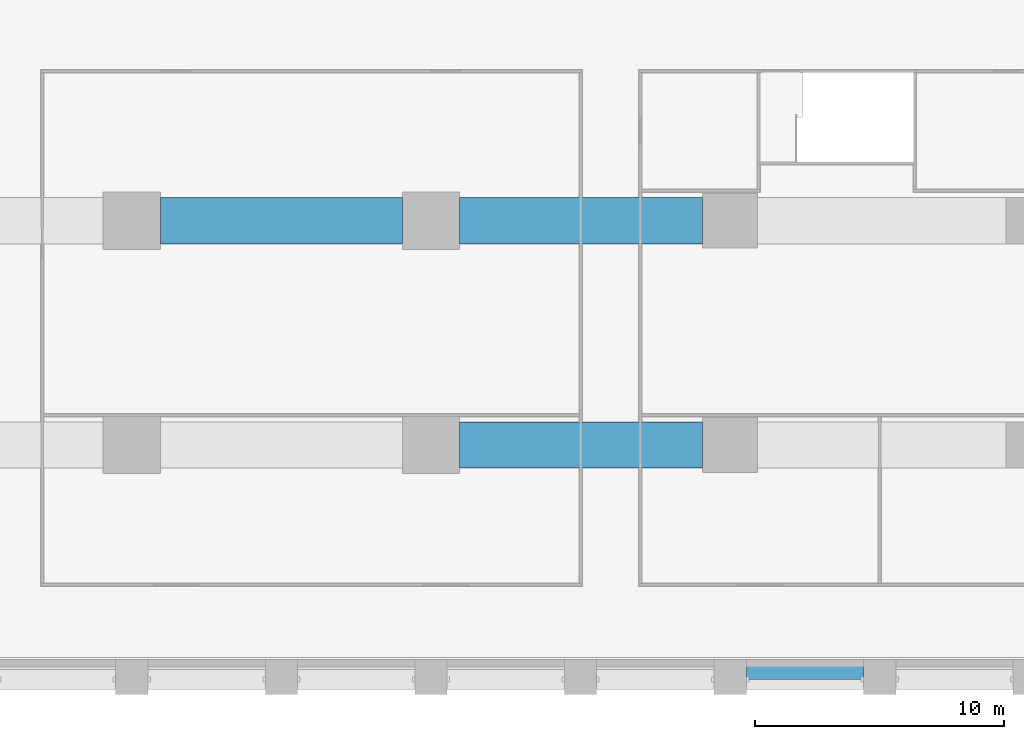
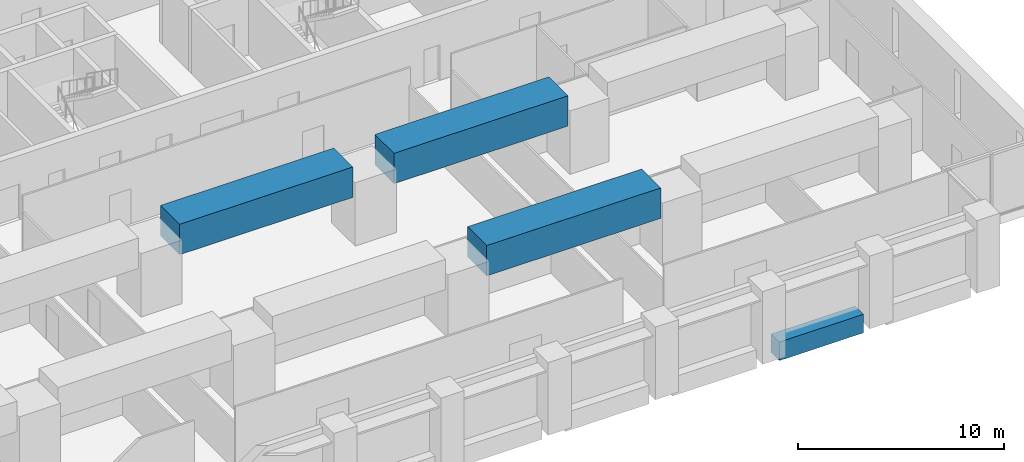
# One storey, part 3 of 17: 4 beams.
"""IFC4 building model written with IfcOpenShell, lengths in metres."""

import ifcopenshell
import ifcopenshell.guid

model = None  # the IFC model being written
_history = None  # IfcOwnerHistory: only IFC2X3 demands one
_inside = {}  # id of a spatial element -> (the spatial element, [elements in it])
_under = {}  # id of a project, library or spatial element -> (it, [spatial elements below it])
_declared = {}  # id of a project -> (the project, [libraries it declares])
_typed = {}  # id of a type object -> (the type object, [elements of that type])
_made_of = {}  # id of a material, layer set ... -> (it, [elements and type objects made of it])


def new_model(schema):
    """Start an empty IFC model of exactly this schema.

    Asked for "IFC4X3", IfcOpenShell would pick the latest addendum, in which some entities
    have other attributes; the version numbers below select the first issue.
    IFC2X3 requires an IfcOwnerHistory on every rooted entity: one is made here for all.
    """
    global model, _history
    if schema == "IFC4X3":
        model = ifcopenshell.file(schema_version=(4, 3, 0, 0))
    else:
        model = ifcopenshell.file(schema=schema)
    _inside.clear()
    _under.clear()
    _declared.clear()
    _typed.clear()
    _made_of.clear()
    _history = None
    if model.schema == "IFC2X3":
        org = make("IfcOrganization", Name="unknown")
        user = make(
            "IfcPersonAndOrganization",
            ThePerson=make("IfcPerson", FamilyName="unknown"),
            TheOrganization=org,
        )
        app = make(
            "IfcApplication",
            ApplicationDeveloper=org,
            Version="unknown",
            ApplicationFullName="unknown",
            ApplicationIdentifier="unknown",
        )
        _history = make(
            "IfcOwnerHistory",
            OwningUser=user,
            OwningApplication=app,
            ChangeAction="ADDED",
            CreationDate=0,
        )
    return model


def make(cls, **values):
    """One entity of the class cls with the attributes given. An attribute that is None is left unset."""
    return model.create_entity(
        cls, **{name: value for name, value in values.items() if value is not None}
    )


def rooted(cls, **values):
    """An entity with a GlobalId (a new one), such as an element, a storey or a relation."""
    return make(cls, GlobalId=ifcopenshell.guid.new(), OwnerHistory=_history, **values)


def si_unit(unit_type, name, prefix=None):
    """IfcSIUnit, for example si_unit("LENGTHUNIT", "METRE", prefix="MILLI")."""
    return make("IfcSIUnit", UnitType=unit_type, Prefix=prefix, Name=name)


def assignment(units):
    """IfcUnitAssignment: the units of a project."""
    return None if units is None else make("IfcUnitAssignment", Units=units)


def point(xyz):
    """IfcCartesianPoint."""
    return None if xyz is None else make("IfcCartesianPoint", Coordinates=xyz)


def direction(xyz):
    """IfcDirection."""
    return None if xyz is None else make("IfcDirection", DirectionRatios=xyz)


def frame(location, z_axis=None, x_axis=None):
    """IfcAxis2Placement3D, a coordinate frame: its origin and axes. An axis left out is left unset."""
    return make(
        "IfcAxis2Placement3D",
        Location=point(location),
        Axis=direction(z_axis),
        RefDirection=direction(x_axis),
    )


def frame_2d(location, x_axis=None):
    """IfcAxis2Placement2D, a coordinate frame in the plane: its origin and x axis."""
    return make(
        "IfcAxis2Placement2D", Location=point(location), RefDirection=direction(x_axis)
    )


def origin():
    """The frame at (0, 0, 0) with its axes left unset."""
    return frame((0.0, 0.0, 0.0))


def origin_2d():
    """The frame at (0, 0) in the plane with its x axis left unset."""
    return frame_2d((0.0, 0.0))


def place(relative_to, where):
    """IfcLocalPlacement: puts the frame where relative to a parent placement (None: the world)."""
    return make(
        "IfcLocalPlacement", PlacementRelTo=relative_to, RelativePlacement=where
    )


def context(
    kind, dimensions, precision=None, world=None, true_north=None, identifier=None
):
    """IfcGeometricRepresentationContext, for example the 3D "Model" context."""
    return make(
        "IfcGeometricRepresentationContext",
        ContextIdentifier=identifier,
        ContextType=kind,
        CoordinateSpaceDimension=dimensions,
        Precision=precision,
        WorldCoordinateSystem=world,
        TrueNorth=true_north,
    )


def subcontext(parent, identifier, kind, view, scale=None):
    """IfcGeometricRepresentationSubContext, for example "Body" below "Model"."""
    return make(
        "IfcGeometricRepresentationSubContext",
        ContextIdentifier=identifier,
        ContextType=kind,
        ParentContext=parent,
        TargetScale=scale,
        TargetView=view,
    )


def project(units=None, contexts=None):
    """IfcProject with its units and contexts."""
    return rooted(
        "IfcProject",
        Name="project",
        RepresentationContexts=contexts,
        UnitsInContext=assignment(units),
    )


def spatial(cls, under=None, at=None, **own):
    """A site, building, storey or space (cls), placed at a placement, below another one or the project."""
    s = rooted(cls, ObjectPlacement=at, **own)
    if under is not None:
        _under.setdefault(under.id(), (under, []))[1].append(s)
    return s


def profile(cls, at=None, kind="AREA", **sizes):
    """A parametric profile (cls). Its sizes go by their IFC names, for example OverallWidth=200.0."""
    return make(cls, ProfileType=kind, Position=at, **sizes)


def rectangle(**sizes):
    """IfcRectangleProfileDef."""
    return profile("IfcRectangleProfileDef", **sizes)


def extrude(swept, where, along, depth):
    """IfcExtrudedAreaSolid: the profile swept, set in the frame where, extruded along a direction by depth."""
    return make(
        "IfcExtrudedAreaSolid",
        SweptArea=swept,
        Position=where,
        ExtrudedDirection=direction(along),
        Depth=depth,
    )


def shape(context_of_items, identifier, shape_type, items):
    """IfcShapeRepresentation: the items that make up one representation, for example the "Body"."""
    return make(
        "IfcShapeRepresentation",
        ContextOfItems=context_of_items,
        RepresentationIdentifier=identifier,
        RepresentationType=shape_type,
        Items=items,
    )


def material(Name=None, Category=None):
    """IfcMaterial."""
    return make("IfcMaterial", Name=Name, Category=Category)


def material_profile(
    of_material, cross_section, Name=None, Category=None, Priority=None
):
    """IfcMaterialProfile: a cross section and its material."""
    return make(
        "IfcMaterialProfile",
        Name=Name,
        Material=of_material,
        Profile=cross_section,
        Priority=Priority,
        Category=Category,
    )


def profile_set(profiles, Name=None, composite=None):
    """IfcMaterialProfileSet."""
    return make(
        "IfcMaterialProfileSet",
        Name=Name,
        MaterialProfiles=profiles,
        CompositeProfile=composite,
    )


def made_of(thing, what):
    """Note that an element or type object is made of a material, layer set ...; save() writes the relation."""
    if what is not None:
        _made_of.setdefault(what.id(), (what, []))[1].append(thing)
    return thing


def type_object(cls, material=None, **own):
    """A type object (cls), such as IfcWallType, which elements share."""
    return made_of(rooted(cls, **own), material)


def element(
    cls,
    number,
    at=None,
    inside=None,
    cuts=None,
    type_object=None,
    material=None,
    context=None,
    identifier="Body",
    shape_type=None,
    held_by="IfcProductDefinitionShape",
    body=None,
    shapes=None,
    **own,
):
    """One element of the class cls, such as IfcWall. Its Tag is "e" and its number.

    at: its placement. inside: the storey or other place that contains it. cuts: it is an
    opening in that element (IfcRelVoidsElement). A single representation is given by context,
    identifier, shape_type and body (its items); several are given by shapes. held_by: the class
    of the entity that holds the representations. save() writes the other relations.
    """
    e = rooted(cls, Tag="e%d" % number, ObjectPlacement=at, **own)
    if body is not None:
        shapes = [shape(context, identifier, shape_type, body)]
    if shapes is not None:
        e.Representation = make(held_by, Representations=shapes)
    if inside is not None:
        _inside.setdefault(inside.id(), (inside, []))[1].append(e)
    if cuts is not None:
        rooted(
            "IfcRelVoidsElement", RelatingBuildingElement=cuts, RelatedOpeningElement=e
        )
    if type_object is not None:
        _typed.setdefault(type_object.id(), (type_object, []))[1].append(e)
    return made_of(e, material)


def aggregate(whole, parts):
    """IfcRelAggregates: a whole, such as a stair, and the parts it consists of."""
    return rooted("IfcRelAggregates", RelatingObject=whole, RelatedObjects=parts)


def save(model, path):
    """Write the relations noted so far, then the file.

    IfcRelAggregates (storeys below a building ...), IfcRelContainedInSpatialStructure (elements
    in a storey), IfcRelDefinesByType, IfcRelAssociatesMaterial and IfcRelDeclares: one each for
    every whole, place, type object, material and project.
    """
    for whole, parts in _under.values():
        aggregate(whole, parts)
    for where, things in _inside.values():
        rooted(
            "IfcRelContainedInSpatialStructure",
            RelatedElements=things,
            RelatingStructure=where,
        )
    for kind, things in _typed.values():
        rooted("IfcRelDefinesByType", RelatedObjects=things, RelatingType=kind)
    for what, things in _made_of.values():
        rooted("IfcRelAssociatesMaterial", RelatedObjects=things, RelatingMaterial=what)
    for by, libraries in _declared.values():
        rooted("IfcRelDeclares", RelatingContext=by, RelatedDefinitions=libraries)
    model.write(path)


model = new_model("IFC4")

# Units and contexts
model_context = context("Model", 3, precision=1e-05, world=origin(), true_north=direction((0.0, 1.0)))
body_context = subcontext(model_context, "Body", "Model", "MODEL_VIEW")
ifc_project = project(units=[si_unit("LENGTHUNIT", "METRE"), si_unit("AREAUNIT", "SQUARE_METRE"), si_unit("VOLUMEUNIT", "CUBIC_METRE"), si_unit("PLANEANGLEUNIT", "RADIAN"), si_unit("MASSUNIT", "GRAM", prefix="KILO")], contexts=[model_context])

# Site, building, storey
site_placement = place(None, origin())
site = spatial("IfcSite", under=ifc_project, at=site_placement, CompositionType="ELEMENT")
building_placement = place(site_placement, origin())
building = spatial("IfcBuilding", under=site, at=building_placement, Name="Calvaro Tower", CompositionType="ELEMENT")
storey_placement = place(building_placement, frame((0.0, 0.0, 17.89990234375)))
storey = spatial("IfcBuildingStorey", under=building, at=storey_placement, Name="L03", CompositionType="ELEMENT", Elevation=17.89990234375)

# Beams
ifc_material_1 = material(Name="Concrete C50/60 precast", Category="concrete")
ifc_material_profile_1 = material_profile(ifc_material_1, rectangle(XDim=0.800048828125, YDim=1.10009765625, at=origin_2d()), Name="RC 800x1100")
ifc_profile_set_1 = profile_set([ifc_material_profile_1], Name="Concrete C50/60 precast")
beam_type_1 = type_object("IfcBeamType", Name="Spandrel beam 800x1100 C50/60", PredefinedType="SPANDREL", material=ifc_profile_set_1)
beam_1_placement = place(storey_placement, frame((60.64990234375, 1.0, -0.5498046875), z_axis=(1.0, 0.0, 0.0), x_axis=(0.0, 1.0, 0.0)))
element("IfcBeam", 1, at=beam_1_placement, inside=storey, type_object=beam_type_1, Name="Spandrel beam", PredefinedType="SPANDREL", context=body_context, shape_type="SweptSolid", body=[
    extrude(rectangle(XDim=0.800048828125, YDim=1.10009765625, at=origin_2d()), origin(), (0.0, 0.0, 1.0), 4.7001953125),
])
ifc_material_2 = material(Name="Concrete C80/95", Category="concrete")
ifc_material_profile_2 = material_profile(ifc_material_2, rectangle(XDim=1.85009765625, YDim=1.800048828125, at=origin_2d()), Name="RC 1850x1800")
ifc_profile_set_2 = profile_set([ifc_material_profile_2], Name="Concrete C80/95")
beam_type_2 = type_object("IfcBeamType", Name="Transfer girder 1850x1800 C80/95", PredefinedType="BEAM", material=ifc_profile_set_2)
beam_2_placement = place(storey_placement, frame((49.14990234375, 10.0, 3.7001953125), z_axis=(1.0, 0.0, 0.0), x_axis=(0.0, 1.0, 0.0)))
element("IfcBeam", 2, at=beam_2_placement, inside=storey, type_object=beam_type_2, Name="Transfer girder", PredefinedType="BEAM", context=body_context, shape_type="SweptSolid", body=[
    extrude(rectangle(XDim=1.85009765625, YDim=1.800048828125, at=origin_2d()), origin(), (0.0, 0.0, 1.0), 9.75),
])
beam_3_placement = place(storey_placement, frame((37.14990234375, 19.0, 3.7001953125), z_axis=(1.0, 0.0, 0.0), x_axis=(0.0, 1.0, 0.0)))
element("IfcBeam", 3, at=beam_3_placement, inside=storey, type_object=beam_type_2, Name="Transfer girder", PredefinedType="BEAM", context=body_context, shape_type="SweptSolid", body=[
    extrude(rectangle(XDim=1.85009765625, YDim=1.800048828125, at=origin_2d()), origin(), (0.0, 0.0, 1.0), 9.7001953125),
])
beam_4_placement = place(storey_placement, frame((49.14990234375, 19.0, 3.7001953125), z_axis=(1.0, 0.0, 0.0), x_axis=(0.0, 1.0, 0.0)))
element("IfcBeam", 4, at=beam_4_placement, inside=storey, type_object=beam_type_2, Name="Transfer girder", PredefinedType="BEAM", context=body_context, shape_type="SweptSolid", body=[
    extrude(rectangle(XDim=1.85009765625, YDim=1.800048828125, at=origin_2d()), origin(), (0.0, 0.0, 1.0), 9.75),
])

save(model, "model.ifc")
